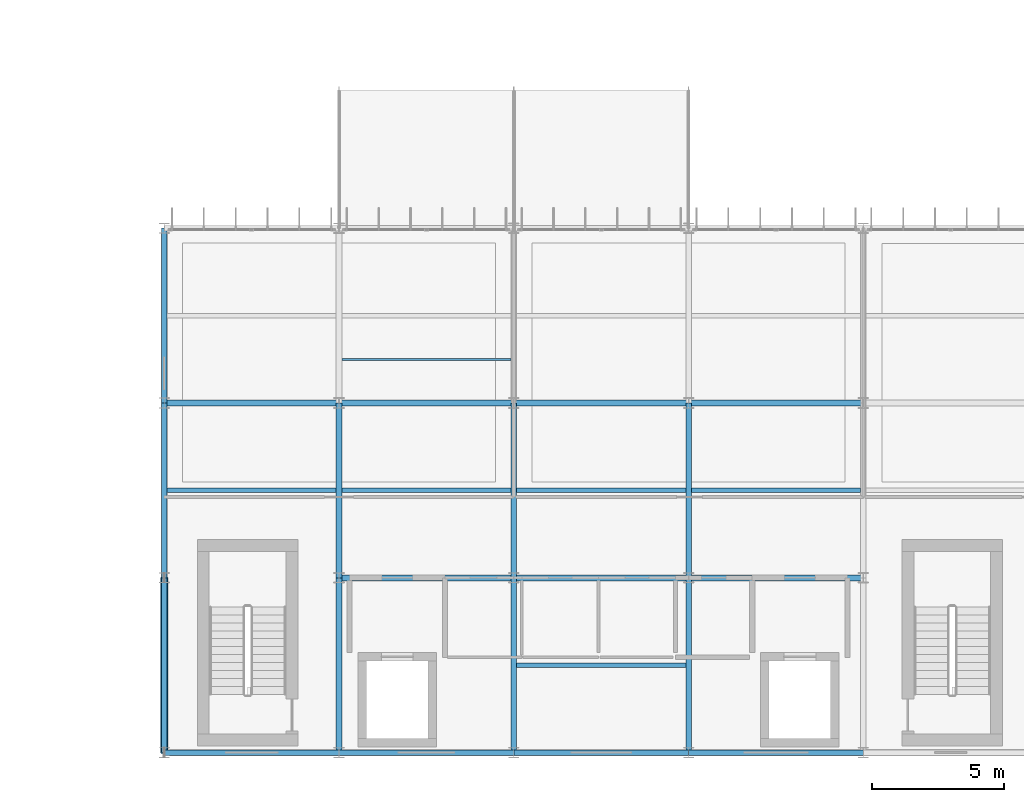
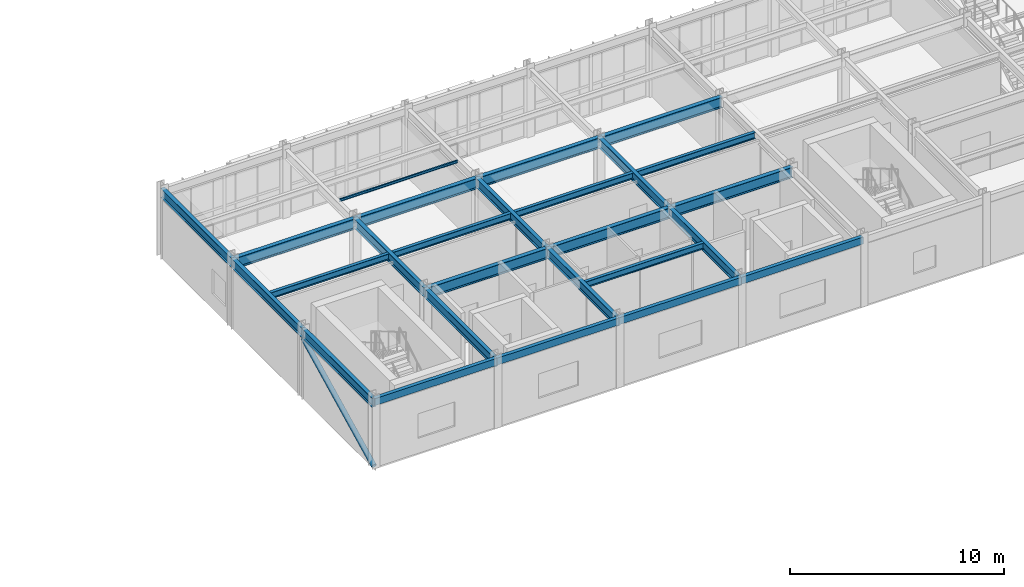
# One storey, part 55 of 148: 26 beams, 1 member.
"""IFC4 building model written with IfcOpenShell, lengths in metres."""

from ifc_helpers import new_model, si_unit, direction, frame, origin, origin_2d, place, context, subcontext, project, spatial, hollow_rectangle, hollow_circle, i_section, extrude, material, material_profile, profile_set, type_object, element, save


model = new_model("IFC4")

# Units and contexts
model_context = context("Model", 3, precision=1e-05, world=origin(), true_north=direction((0.0, 1.0)))
body_context = subcontext(model_context, "Body", "Model", "MODEL_VIEW")
ifc_project = project(units=[si_unit("LENGTHUNIT", "METRE"), si_unit("AREAUNIT", "SQUARE_METRE"), si_unit("VOLUMEUNIT", "CUBIC_METRE"), si_unit("PLANEANGLEUNIT", "RADIAN"), si_unit("MASSUNIT", "GRAM", prefix="KILO")], contexts=[model_context])

# Site, building, storey
site_placement = place(None, origin())
site = spatial("IfcSite", under=ifc_project, at=site_placement, CompositionType="ELEMENT")
building_placement = place(site_placement, origin())
building = spatial("IfcBuilding", under=site, at=building_placement, Name="Karori Crest Natural Sciences Institute", CompositionType="ELEMENT")
storey_placement = place(building_placement, frame((0.0, 0.0, 4.89990234375)))
storey = spatial("IfcBuildingStorey", under=building, at=storey_placement, Name="L01", CompositionType="ELEMENT", Elevation=4.89990234375)

# Beams
ifc_material_1 = material(Name="Structural steel AS/NZS 3679.1 Grade 350", Category="steel")
ifc_material_profile_1 = material_profile(ifc_material_1, i_section(OverallWidth=0.22900390625, OverallDepth=0.612060546875, WebThickness=0.011962890625, FlangeThickness=0.01953125, FilletRadius=0.013916015625, at=origin_2d()), Name="610UB125")
ifc_profile_set_1 = profile_set([ifc_material_profile_1], Name="Structural steel AS/NZS 3679.1 Grade 350")
beam_type_1 = type_object("IfcBeamType", Name="BT-04", PredefinedType="BEAM", material=ifc_profile_set_1)
beam_1_placement = place(storey_placement, frame((110.199951171875, 7.39990234375, 3.614013671875), z_axis=(1.0, 0.0, 0.0), x_axis=(0.0, 1.0, 0.0)))
element("IfcBeam", 1, at=beam_1_placement, inside=storey, type_object=beam_type_1, Name="Beam B-2118", PredefinedType="BEAM", context=body_context, shape_type="SweptSolid", body=[
    extrude(i_section(OverallWidth=0.22900390625, OverallDepth=0.612060546875, WebThickness=0.011962890625, FlangeThickness=0.01953125, FilletRadius=0.013916015625, at=origin_2d()), origin(), (0.0, 0.0, 1.0), 6.60009765625),
])
beam_2_placement = place(storey_placement, frame((116.800048828125, 7.39990234375, 3.614013671875), z_axis=(1.0, 0.0, 0.0), x_axis=(0.0, 1.0, 0.0)))
element("IfcBeam", 2, at=beam_2_placement, inside=storey, type_object=beam_type_1, Name="Beam B-2119", PredefinedType="BEAM", context=body_context, shape_type="SweptSolid", body=[
    extrude(i_section(OverallWidth=0.22900390625, OverallDepth=0.612060546875, WebThickness=0.011962890625, FlangeThickness=0.01953125, FilletRadius=0.013916015625, at=origin_2d()), origin(), (0.0, 0.0, 1.0), 6.599853515625),
])
beam_3_placement = place(storey_placement, frame((123.39990234375, 7.39990234375, 3.614013671875), z_axis=(1.0, 0.0, 0.0), x_axis=(0.0, 1.0, 0.0)))
element("IfcBeam", 3, at=beam_3_placement, inside=storey, type_object=beam_type_1, Name="Beam B-2120", PredefinedType="BEAM", context=body_context, shape_type="SweptSolid", body=[
    extrude(i_section(OverallWidth=0.22900390625, OverallDepth=0.612060546875, WebThickness=0.011962890625, FlangeThickness=0.01953125, FilletRadius=0.013916015625, at=origin_2d()), origin(), (0.0, 0.0, 1.0), 6.60009765625),
])
beam_4_placement = place(storey_placement, frame((103.60009765625, 14.0, 3.614013671875), z_axis=(1.0, 0.0, 0.0), x_axis=(0.0, 1.0, 0.0)))
element("IfcBeam", 4, at=beam_4_placement, inside=storey, type_object=beam_type_1, Name="Beam B-2125", PredefinedType="BEAM", context=body_context, shape_type="SweptSolid", body=[
    extrude(i_section(OverallWidth=0.22900390625, OverallDepth=0.612060546875, WebThickness=0.011962890625, FlangeThickness=0.01953125, FilletRadius=0.013916015625, at=origin_2d()), origin(), (0.0, 0.0, 1.0), 6.599853515625),
])
beam_5_placement = place(storey_placement, frame((110.199951171875, 14.0, 3.614013671875), z_axis=(1.0, 0.0, 0.0), x_axis=(0.0, 1.0, 0.0)))
element("IfcBeam", 5, at=beam_5_placement, inside=storey, type_object=beam_type_1, Name="Beam B-2126", PredefinedType="BEAM", context=body_context, shape_type="SweptSolid", body=[
    extrude(i_section(OverallWidth=0.22900390625, OverallDepth=0.612060546875, WebThickness=0.011962890625, FlangeThickness=0.01953125, FilletRadius=0.013916015625, at=origin_2d()), origin(), (0.0, 0.0, 1.0), 6.60009765625),
])
beam_6_placement = place(storey_placement, frame((116.800048828125, 14.0, 3.614013671875), z_axis=(1.0, 0.0, 0.0), x_axis=(0.0, 1.0, 0.0)))
element("IfcBeam", 6, at=beam_6_placement, inside=storey, type_object=beam_type_1, Name="Beam B-2127", PredefinedType="BEAM", context=body_context, shape_type="SweptSolid", body=[
    extrude(i_section(OverallWidth=0.22900390625, OverallDepth=0.612060546875, WebThickness=0.011962890625, FlangeThickness=0.01953125, FilletRadius=0.013916015625, at=origin_2d()), origin(), (0.0, 0.0, 1.0), 6.599853515625),
])
beam_7_placement = place(storey_placement, frame((123.39990234375, 14.0, 3.614013671875), z_axis=(1.0, 0.0, 0.0), x_axis=(0.0, 1.0, 0.0)))
element("IfcBeam", 7, at=beam_7_placement, inside=storey, type_object=beam_type_1, Name="Beam B-2128", PredefinedType="BEAM", context=body_context, shape_type="SweptSolid", body=[
    extrude(i_section(OverallWidth=0.22900390625, OverallDepth=0.612060546875, WebThickness=0.011962890625, FlangeThickness=0.01953125, FilletRadius=0.013916015625, at=origin_2d()), origin(), (0.0, 0.0, 1.0), 6.60009765625),
])
ifc_material_profile_2 = material_profile(ifc_material_1, i_section(OverallWidth=0.208984375, OverallDepth=0.532958984375, WebThickness=0.01025390625, FlangeThickness=0.015625, FilletRadius=0.013916015625, at=origin_2d()), Name="530UB92.4")
ifc_profile_set_2 = profile_set([ifc_material_profile_2], Name="Structural steel AS/NZS 3679.1 Grade 350")
beam_type_2 = type_object("IfcBeamType", Name="BT-05", PredefinedType="BEAM", material=ifc_profile_set_2)
beam_8_placement = place(storey_placement, frame((110.199951171875, 0.800048828125, 3.653564453125), z_axis=(0.0, 1.0, 0.0), x_axis=(-1.0, 0.0, 0.0)))
element("IfcBeam", 8, at=beam_8_placement, inside=storey, type_object=beam_type_2, Name="Beam B-2145", PredefinedType="BEAM", context=body_context, shape_type="SweptSolid", body=[
    extrude(i_section(OverallWidth=0.208984375, OverallDepth=0.532958984375, WebThickness=0.01025390625, FlangeThickness=0.015625, FilletRadius=0.013916015625, at=origin_2d()), origin(), (0.0, 0.0, 1.0), 6.599853515625),
])
beam_9_placement = place(storey_placement, frame((110.199951171875, 7.39990234375, 3.653564453125), z_axis=(0.0, 1.0, 0.0), x_axis=(-1.0, 0.0, 0.0)))
element("IfcBeam", 9, at=beam_9_placement, inside=storey, type_object=beam_type_2, Name="Beam B-2146", PredefinedType="BEAM", context=body_context, shape_type="SweptSolid", body=[
    extrude(i_section(OverallWidth=0.208984375, OverallDepth=0.532958984375, WebThickness=0.01025390625, FlangeThickness=0.015625, FilletRadius=0.013916015625, at=origin_2d()), origin(), (0.0, 0.0, 1.0), 6.60009765625),
])
beam_10_placement = place(storey_placement, frame((116.800048828125, 0.800048828125, 3.653564453125), z_axis=(0.0, 1.0, 0.0), x_axis=(-1.0, 0.0, 0.0)))
element("IfcBeam", 10, at=beam_10_placement, inside=storey, type_object=beam_type_2, Name="Beam B-2148", PredefinedType="BEAM", context=body_context, shape_type="SweptSolid", body=[
    extrude(i_section(OverallWidth=0.208984375, OverallDepth=0.532958984375, WebThickness=0.01025390625, FlangeThickness=0.015625, FilletRadius=0.013916015625, at=origin_2d()), origin(), (0.0, 0.0, 1.0), 6.599853515625),
])
beam_11_placement = place(storey_placement, frame((116.800048828125, 7.39990234375, 3.653564453125), z_axis=(0.0, 1.0, 0.0), x_axis=(-1.0, 0.0, 0.0)))
element("IfcBeam", 11, at=beam_11_placement, inside=storey, type_object=beam_type_2, Name="Beam B-2149", PredefinedType="BEAM", context=body_context, shape_type="SweptSolid", body=[
    extrude(i_section(OverallWidth=0.208984375, OverallDepth=0.532958984375, WebThickness=0.01025390625, FlangeThickness=0.015625, FilletRadius=0.013916015625, at=origin_2d()), origin(), (0.0, 0.0, 1.0), 6.60009765625),
])
beam_12_placement = place(storey_placement, frame((123.39990234375, 0.800048828125, 3.653564453125), z_axis=(0.0, 1.0, 0.0), x_axis=(-1.0, 0.0, 0.0)))
element("IfcBeam", 12, at=beam_12_placement, inside=storey, type_object=beam_type_2, Name="Beam B-2151", PredefinedType="BEAM", context=body_context, shape_type="SweptSolid", body=[
    extrude(i_section(OverallWidth=0.208984375, OverallDepth=0.532958984375, WebThickness=0.01025390625, FlangeThickness=0.015625, FilletRadius=0.013916015625, at=origin_2d()), origin(), (0.0, 0.0, 1.0), 6.599853515625),
])
beam_13_placement = place(storey_placement, frame((123.39990234375, 7.39990234375, 3.653564453125), z_axis=(0.0, 1.0, 0.0), x_axis=(-1.0, 0.0, 0.0)))
element("IfcBeam", 13, at=beam_13_placement, inside=storey, type_object=beam_type_2, Name="Beam B-2152", PredefinedType="BEAM", context=body_context, shape_type="SweptSolid", body=[
    extrude(i_section(OverallWidth=0.208984375, OverallDepth=0.532958984375, WebThickness=0.01025390625, FlangeThickness=0.015625, FilletRadius=0.013916015625, at=origin_2d()), origin(), (0.0, 0.0, 1.0), 6.60009765625),
])
ifc_material_profile_3 = material_profile(ifc_material_1, i_section(OverallWidth=0.208984375, OverallDepth=0.532958984375, WebThickness=0.01025390625, FlangeThickness=0.015625, FilletRadius=0.013916015625, at=origin_2d()), Name="530UB92.4")
ifc_profile_set_3 = profile_set([ifc_material_profile_3], Name="Structural steel AS/NZS 3679.1 Grade 350")
beam_type_3 = type_object("IfcBeamType", Name="BT-05-EL", PredefinedType="BEAM", material=ifc_profile_set_3)
beam_14_placement = place(storey_placement, frame((103.60009765625, 0.800048828125, 3.653564453125), z_axis=(0.0, 1.0, 0.0), x_axis=(-1.0, 0.0, 0.0)))
element("IfcBeam", 14, at=beam_14_placement, inside=storey, type_object=beam_type_3, Name="Beam B-2142", PredefinedType="BEAM", context=body_context, shape_type="SweptSolid", body=[
    extrude(i_section(OverallWidth=0.208984375, OverallDepth=0.532958984375, WebThickness=0.01025390625, FlangeThickness=0.015625, FilletRadius=0.013916015625, at=origin_2d()), origin(), (0.0, 0.0, 1.0), 6.599853515625),
])
for number, where, z_axis, x_axis, name in (
    (15, (103.60009765625, 7.39990234375, 3.653564453125), (0.0, 1.0, 0.0), (-1.0, 0.0, 0.0), "Beam B-2143"),
    (16, (103.60009765625, 14.0, 3.653564453125), (0.0, 1.0, 0.0), (-1.0, 0.0, 0.0), "Beam B-2144"),
):
    element("IfcBeam", number, at=place(storey_placement, frame(where, z_axis=z_axis, x_axis=x_axis)), inside=storey, type_object=beam_type_3, Name=name, PredefinedType="BEAM", context=body_context, shape_type="SweptSolid", body=[
        extrude(i_section(OverallWidth=0.208984375, OverallDepth=0.532958984375, WebThickness=0.01025390625, FlangeThickness=0.015625, FilletRadius=0.013916015625, at=origin_2d()), origin(), (0.0, 0.0, 1.0), 6.60009765625),
    ])
ifc_material_profile_4 = material_profile(ifc_material_1, i_section(OverallWidth=0.172119140625, OverallDepth=0.35888671875, WebThickness=0.008056640625, FlangeThickness=0.012939453125, FilletRadius=0.010986328125, at=origin_2d()), Name="360UB56.7")
ifc_profile_set_4 = profile_set([ifc_material_profile_4], Name="Structural steel AS/NZS 3679.1 Grade 350")
beam_type_4 = type_object("IfcBeamType", Name="BT-08", PredefinedType="BEAM", material=ifc_profile_set_4)
beam_15_placement = place(storey_placement, frame((103.70458984375, 10.699951171875, 3.740478515625), z_axis=(1.0, 0.0, 0.0), x_axis=(0.0, 1.0, 0.0)))
element("IfcBeam", 17, at=beam_15_placement, inside=storey, type_object=beam_type_4, Name="Beam B-2172", PredefinedType="BEAM", context=body_context, shape_type="SweptSolid", body=[
    extrude(i_section(OverallWidth=0.172119140625, OverallDepth=0.35888671875, WebThickness=0.008056640625, FlangeThickness=0.012939453125, FilletRadius=0.010986328125, at=origin_2d()), origin(), (0.0, 0.0, 1.0), 6.390869140625),
])
beam_16_placement = place(storey_placement, frame((110.304443359375, 10.699951171875, 3.740478515625), z_axis=(1.0, 0.0, 0.0), x_axis=(0.0, 1.0, 0.0)))
element("IfcBeam", 18, at=beam_16_placement, inside=storey, type_object=beam_type_4, Name="Beam B-2174", PredefinedType="BEAM", context=body_context, shape_type="SweptSolid", body=[
    extrude(i_section(OverallWidth=0.172119140625, OverallDepth=0.35888671875, WebThickness=0.008056640625, FlangeThickness=0.012939453125, FilletRadius=0.010986328125, at=origin_2d()), origin(), (0.0, 0.0, 1.0), 6.39111328125),
])
for number, where, z_axis, x_axis, name in (
    (19, (116.904541015625, 4.10009765625, 3.740478515625), (1.0, 0.0, 0.0), (0.0, 1.0, 0.0), "Beam B-2177"),
    (20, (116.904541015625, 10.699951171875, 3.740478515625), (1.0, 0.0, 0.0), (0.0, 1.0, 0.0), "Beam B-2178"),
):
    element("IfcBeam", number, at=place(storey_placement, frame(where, z_axis=z_axis, x_axis=x_axis)), inside=storey, type_object=beam_type_4, Name=name, PredefinedType="BEAM", context=body_context, shape_type="SweptSolid", body=[
        extrude(i_section(OverallWidth=0.172119140625, OverallDepth=0.35888671875, WebThickness=0.008056640625, FlangeThickness=0.012939453125, FilletRadius=0.010986328125, at=origin_2d()), origin(), (0.0, 0.0, 1.0), 6.390869140625),
    ])
beam_17_placement = place(storey_placement, frame((123.50439453125, 10.699951171875, 3.740478515625), z_axis=(1.0, 0.0, 0.0), x_axis=(0.0, 1.0, 0.0)))
element("IfcBeam", 21, at=beam_17_placement, inside=storey, type_object=beam_type_4, Name="Beam B-2180", PredefinedType="BEAM", context=body_context, shape_type="SweptSolid", body=[
    extrude(i_section(OverallWidth=0.172119140625, OverallDepth=0.35888671875, WebThickness=0.008056640625, FlangeThickness=0.012939453125, FilletRadius=0.010986328125, at=origin_2d()), origin(), (0.0, 0.0, 1.0), 6.39111328125),
])
ifc_material_2 = material(Name="Hollow structural steel AS/NZS 1163 Grade C350", Category="steel")
ifc_material_profile_5 = material_profile(ifc_material_2, hollow_rectangle(XDim=0.199951171875, YDim=0.39990234375, WallThickness=0.012451171875, at=origin_2d()), Name="RHS400x200x12.5")
ifc_profile_set_5 = profile_set([ifc_material_profile_5], Name="Hollow structural steel AS/NZS 1163 Grade C350")
beam_type_5 = type_object("IfcBeamType", Name="BT-14", PredefinedType="SPANDREL", material=ifc_profile_set_5)
beam_18_placement = place(storey_placement, frame((103.60009765625, 0.800048828125, 3.72021484375), z_axis=(1.0, 0.0, 0.0), x_axis=(0.0, 1.0, 0.0)))
element("IfcBeam", 22, at=beam_18_placement, inside=storey, type_object=beam_type_5, Name="Beam B-2109", PredefinedType="SPANDREL", context=body_context, shape_type="SweptSolid", body=[
    extrude(hollow_rectangle(XDim=0.199951171875, YDim=0.39990234375, WallThickness=0.012451171875, at=origin_2d()), origin(), (0.0, 0.0, 1.0), 6.599853515625),
])
beam_19_placement = place(storey_placement, frame((110.199951171875, 0.800048828125, 3.72021484375), z_axis=(1.0, 0.0, 0.0), x_axis=(0.0, 1.0, 0.0)))
element("IfcBeam", 23, at=beam_19_placement, inside=storey, type_object=beam_type_5, Name="Beam B-2110", PredefinedType="SPANDREL", context=body_context, shape_type="SweptSolid", body=[
    extrude(hollow_rectangle(XDim=0.199951171875, YDim=0.39990234375, WallThickness=0.012451171875, at=origin_2d()), origin(), (0.0, 0.0, 1.0), 6.60009765625),
])
beam_20_placement = place(storey_placement, frame((116.800048828125, 0.800048828125, 3.72021484375), z_axis=(1.0, 0.0, 0.0), x_axis=(0.0, 1.0, 0.0)))
element("IfcBeam", 24, at=beam_20_placement, inside=storey, type_object=beam_type_5, Name="Beam B-2111", PredefinedType="SPANDREL", context=body_context, shape_type="SweptSolid", body=[
    extrude(hollow_rectangle(XDim=0.199951171875, YDim=0.39990234375, WallThickness=0.012451171875, at=origin_2d()), origin(), (0.0, 0.0, 1.0), 6.599853515625),
])
beam_21_placement = place(storey_placement, frame((123.39990234375, 0.800048828125, 3.72021484375), z_axis=(1.0, 0.0, 0.0), x_axis=(0.0, 1.0, 0.0)))
element("IfcBeam", 25, at=beam_21_placement, inside=storey, type_object=beam_type_5, Name="Beam B-2112", PredefinedType="SPANDREL", context=body_context, shape_type="SweptSolid", body=[
    extrude(hollow_rectangle(XDim=0.199951171875, YDim=0.39990234375, WallThickness=0.012451171875, at=origin_2d()), origin(), (0.0, 0.0, 1.0), 6.60009765625),
])
ifc_material_profile_6 = material_profile(ifc_material_1, i_section(OverallWidth=0.074951171875, OverallDepth=0.14990234375, WebThickness=0.0048828125, FlangeThickness=0.007080078125, FilletRadius=0.008056640625, at=origin_2d()), Name="150UB14.0")
ifc_profile_set_6 = profile_set([ifc_material_profile_6], Name="Structural steel AS/NZS 3679.1 Grade 350")
beam_type_6 = type_object("IfcBeamType", Name="BT-32", PredefinedType="LINTEL", material=ifc_profile_set_6)
beam_22_placement = place(storey_placement, frame((110.304443359375, 15.64990234375, 3.84521484375), z_axis=(1.0, 0.0, 0.0), x_axis=(0.0, 1.0, 0.0)))
element("IfcBeam", 26, at=beam_22_placement, inside=storey, type_object=beam_type_6, Name="Beam B-2176", PredefinedType="LINTEL", context=body_context, shape_type="SweptSolid", body=[
    extrude(i_section(OverallWidth=0.074951171875, OverallDepth=0.14990234375, WebThickness=0.0048828125, FlangeThickness=0.007080078125, FilletRadius=0.008056640625, at=origin_2d()), origin(), (0.0, 0.0, 1.0), 6.39111328125),
])

# Member
ifc_material_profile_7 = material_profile(ifc_material_2, hollow_circle(Radius=0.136474609375, WallThickness=0.00927734375, at=origin_2d()), Name="CHS273.0x9.3")
ifc_profile_set_7 = profile_set([ifc_material_profile_7], Name="Hollow structural steel AS/NZS 1163 Grade C350")
member_type = type_object("IfcMemberType", Name="MT-01-EL", PredefinedType="BRACE", material=ifc_profile_set_7)
member_placement = place(storey_placement, frame((103.60009765625, 0.800048828125, 0.010009765625), z_axis=(0.0, 0.893983612757, 0.448099654232), x_axis=(-1.0, 0.0, 0.0)))
element("IfcMember", 27, at=member_placement, inside=storey, type_object=member_type, Name="Diagonal Brace M-0441", PredefinedType="BRACE", context=body_context, shape_type="SweptSolid", body=[
    extrude(hollow_circle(Radius=0.136474609375, WallThickness=0.00927734375, at=origin_2d()), origin(), (0.0, 0.0, 1.0), 7.382568359375),
])

save(model, "model.ifc")
